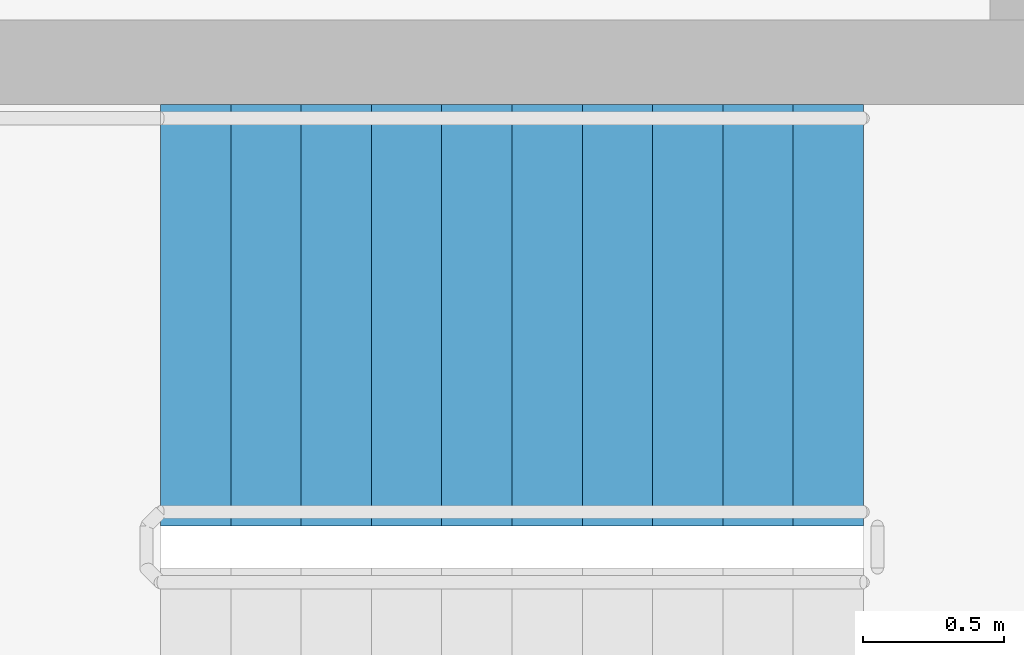
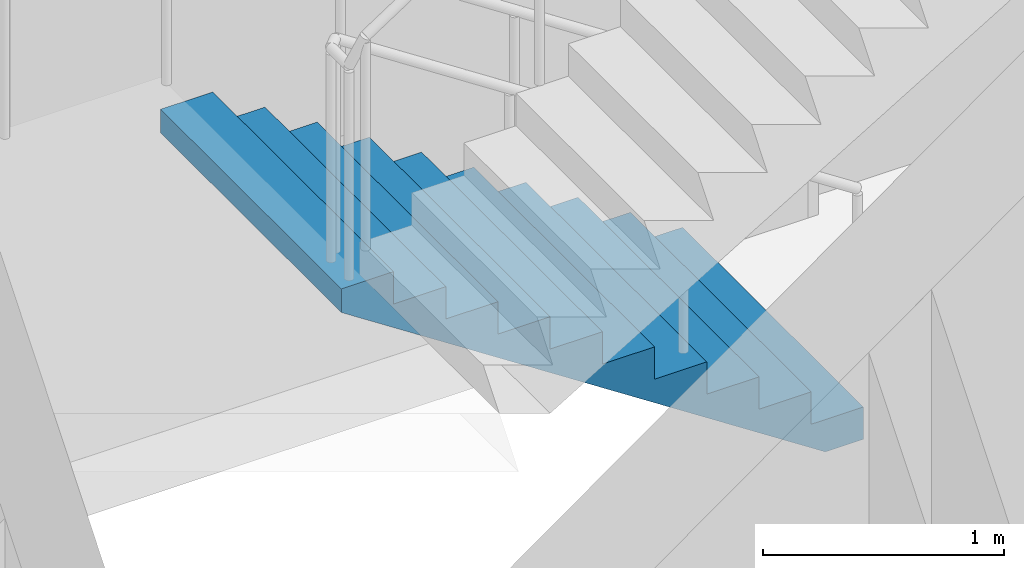
# One storey, part 9 of 10: 1 stair flight, 1 element without a shape of its own.
"""IFC4 building model written with IfcOpenShell, lengths in metres."""

from ifc_helpers import new_model, si_unit, direction, frame, origin, place, context, subcontext, project, spatial, polyline, outline, extrude, material, type_object, element, aggregate, save


model = new_model("IFC4")

# Units and contexts
model_context = context("Model", 3, precision=1e-05, world=origin(), true_north=direction((0.0, 1.0)))
body_context = subcontext(model_context, "Body", "Model", "MODEL_VIEW")
ifc_project = project(units=[si_unit("LENGTHUNIT", "METRE"), si_unit("AREAUNIT", "SQUARE_METRE"), si_unit("VOLUMEUNIT", "CUBIC_METRE"), si_unit("PLANEANGLEUNIT", "RADIAN"), si_unit("MASSUNIT", "GRAM", prefix="KILO")], contexts=[model_context])

# Site, building, storey
site_placement = place(None, origin())
site = spatial("IfcSite", under=ifc_project, at=site_placement, CompositionType="ELEMENT")
building_placement = place(site_placement, origin())
building = spatial("IfcBuilding", under=site, at=building_placement, Name="Tracery Tower", CompositionType="ELEMENT")
storey_placement = place(building_placement, frame((0.0, 0.0, 212.39990234375)))
storey = spatial("IfcBuildingStorey", under=building, at=storey_placement, Name="L55", CompositionType="ELEMENT", Elevation=212.39990234375)

# Stair, stair flight
ifc_material_1 = material(Name="Concrete C32/40", Category="concrete")
stair_type = type_object("IfcStairType", Name="Core stair 22 risers", PredefinedType="HALF_TURN_STAIR", material=ifc_material_1)
stair_placement = place(storey_placement, origin())
stair = element("IfcStair", 1, at=stair_placement, inside=storey, type_object=stair_type, Name="L55 stair ST3", PredefinedType="HALF_TURN_STAIR")
ifc_material_2 = material(Name="Concrete C32/40", Category="concrete")
stair_flight_type = type_object("IfcStairFlightType", Name="Core stair flight 11 risers", PredefinedType="STRAIGHT", material=ifc_material_2)
stair_flight_placement = place(storey_placement, frame((-4.800048828125, 5.64990234375, 0.0), z_axis=(0.0, 0.0, 1.0), x_axis=(-1.0, 0.0, 0.0)))
stair_flight = element("IfcStairFlight", 2, at=stair_flight_placement, type_object=stair_flight_type, Name="ST3 flight 1", NumberOfRisers=11, NumberOfTreads=10, PredefinedType="STRAIGHT", RiserHeight=0.163636364, TreadLength=0.25, context=body_context, shape_type="SweptSolid", body=[
    extrude(outline(polyline([(0.0, 0.0), (0.0, 0.002685546875), (0.0, 0.00537109375), (0.0, 0.008056640625), (0.0, 0.0107421875), (0.0, 0.013427734375), (0.0, 0.01611328125), (0.0, 0.018798828125), (0.0, 0.021484375), (0.0, 0.024169921875), (0.0, 0.02685546875), (0.0, 0.029541015625), (0.0, 0.0322265625), (0.0, 0.034912109375), (0.0, 0.03759765625), (0.0, 0.040283203125), (0.0, 0.04296875), (0.0, 0.045654296875), (0.0, 0.04833984375), (0.0, 0.051025390625), (0.0, 0.0537109375), (0.0, 0.056396484375), (0.0, 0.05908203125), (0.0, 0.061767578125), (0.0, 0.064453125), (0.0, 0.067138671875), (0.0, 0.06982421875), (0.0, 0.072509765625), (0.0, 0.0751953125), (0.0, 0.077880859375), (0.0, 0.08056640625), (0.0, 0.083251953125), (0.0, 0.0859375), (0.0, 0.088623046875), (0.0, 0.09130859375), (0.0, 0.093994140625), (0.0, 0.0966796875), (0.0, 0.099365234375), (0.0, 0.10205078125), (0.0, 0.104736328125), (0.0, 0.107421875), (0.0, 0.10986328125), (0.0, 0.112548828125), (0.0, 0.115234375), (0.0, 0.117919921875), (0.0, 0.12060546875), (0.0, 0.123291015625), (0.0, 0.1259765625), (0.0, 0.128662109375), (0.0, 0.13134765625), (0.0, 0.134033203125), (0.0, 0.13671875), (0.0, 0.139404296875), (0.0, 0.14208984375), (0.0, 0.144775390625), (0.0, 0.1474609375), (0.0, 0.150146484375), (0.0, 0.15283203125), (0.0, 0.155517578125), (0.0, 0.158203125), (0.0, 0.160888671875), (0.0, 0.16357421875), (0.25, 0.16357421875), (0.25, 0.327392578125), (0.5, 0.327392578125), (0.5, 0.490966796875), (0.75, 0.490966796875), (0.75, 0.654541015625), (1.0, 0.654541015625), (1.0, 0.818115234375), (1.25, 0.818115234375), (1.25, 0.98193359375), (1.5, 0.98193359375), (1.5, 1.1455078125), (1.75, 1.1455078125), (1.75, 1.30908203125), (2.0, 1.30908203125), (2.0, 1.47265625), (2.25, 1.47265625), (2.25, 1.636474609375), (2.5, 1.636474609375), (2.5, 1.634521484375), (2.5, 1.63232421875), (2.5, 1.63037109375), (2.5, 1.62841796875), (2.5, 1.62646484375), (2.5, 1.62451171875), (2.5, 1.62255859375), (2.5, 1.62060546875), (2.5, 1.61865234375), (2.5, 1.61669921875), (2.5, 1.61474609375), (2.5, 1.61279296875), (2.5, 1.61083984375), (2.5, 1.60888671875), (2.5, 1.60693359375), (2.5, 1.60498046875), (2.5, 1.60302734375), (2.5, 1.60107421875), (2.5, 1.59912109375), (2.5, 1.59716796875), (2.5, 1.59521484375), (2.5, 1.59326171875), (2.5, 1.59130859375), (2.5, 1.58935546875), (2.5, 1.58740234375), (2.5, 1.58544921875), (2.5, 1.58349609375), (2.5, 1.58154296875), (2.5, 1.57958984375), (2.5, 1.57763671875), (2.5, 1.57568359375), (2.5, 1.573486328125), (2.5, 1.571533203125), (2.5, 1.569580078125), (2.5, 1.567626953125), (2.5, 1.565673828125), (2.5, 1.563720703125), (2.5, 1.561767578125), (2.5, 1.559814453125), (2.5, 1.557861328125), (2.5, 1.555908203125), (2.5, 1.553955078125), (2.5, 1.552001953125), (2.5, 1.550048828125), (2.5, 1.548095703125), (2.5, 1.546142578125), (2.5, 1.544189453125), (2.5, 1.542236328125), (2.5, 1.540283203125), (2.5, 1.538330078125), (2.5, 1.536376953125), (2.5, 1.534423828125), (2.5, 1.532470703125), (2.5, 1.530517578125), (2.5, 1.528564453125), (2.5, 1.526611328125), (2.5, 1.524658203125), (2.5, 1.522705078125), (2.5, 1.520751953125), (2.5, 1.518798828125), (2.5, 1.516845703125), (0.182861328125, 0.0), (0.0, 0.0)])), frame((0.0, 0.75, 0.0), z_axis=(0.0, -1.0, 0.0), x_axis=(1.0, 0.0, 0.0)), (0.0, 0.0, 1.0), 1.5),
])
aggregate(stair, [stair_flight])

save(model, "model.ifc")
